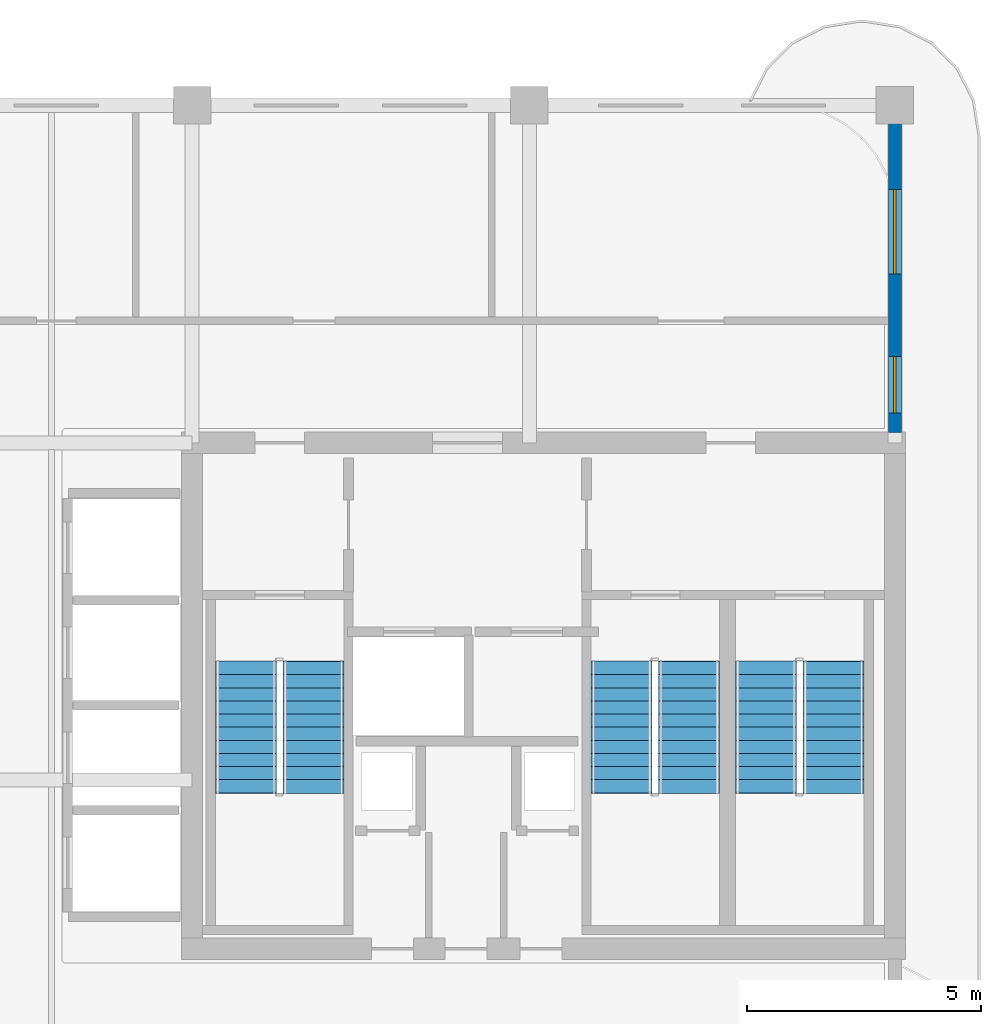
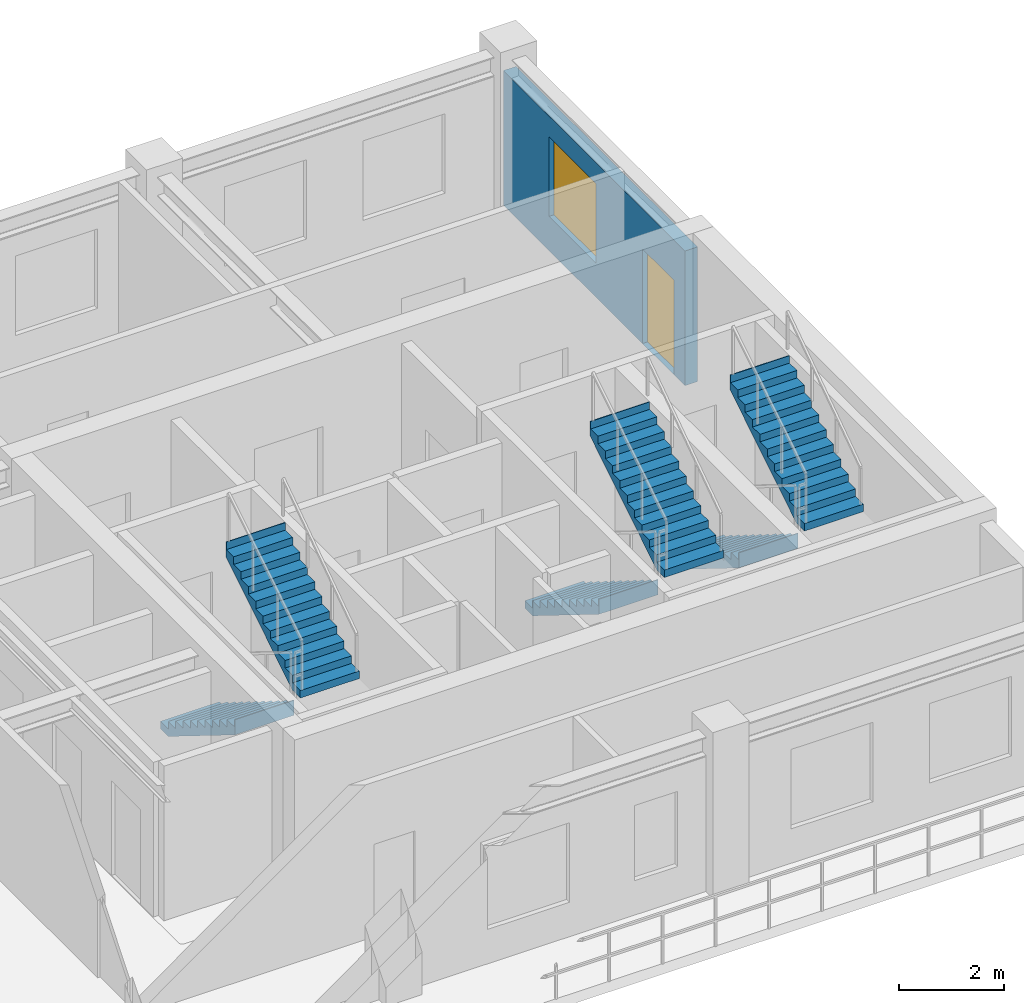
# One storey, part 5 of 7: 6 stair flights, 1 door, 1 wall, 1 window, 2 openings, 3 elements without a shape of their own.
"""IFC4 building model written with IfcOpenShell, lengths in metres."""

from ifc_helpers import new_model, si_unit, derived_unit, direction, frame, frame_2d, origin, place, context, subcontext, project, spatial, polyline, rectangle, outline, extrude, source, transform, mapped, material, layer, layer_set, type_object, type_shapes, element, fill, aggregate, save


model = new_model("IFC4")

# Units and contexts
model_context = context("Model", 3, precision=1e-05, world=origin(), true_north=direction((0.0, 1.0)))
body_context = subcontext(model_context, "Body", "Model", "MODEL_VIEW")
ifc_project = project(units=[si_unit("LENGTHUNIT", "METRE"), si_unit("AREAUNIT", "SQUARE_METRE"), si_unit("VOLUMEUNIT", "CUBIC_METRE"), si_unit("PLANEANGLEUNIT", "RADIAN"), si_unit("MASSUNIT", "GRAM", prefix="KILO"), si_unit("THERMODYNAMICTEMPERATUREUNIT", "KELVIN"), si_unit("POWERUNIT", "WATT"), derived_unit("THERMALTRANSMITTANCEUNIT", [(si_unit("POWERUNIT", "WATT"), 1), (si_unit("AREAUNIT", "SQUARE_METRE"), -1), (si_unit("THERMODYNAMICTEMPERATUREUNIT", "KELVIN"), -1)])], contexts=[model_context])

# Site, building, storey
site_placement = place(None, origin())
site = spatial("IfcSite", under=ifc_project, at=site_placement, CompositionType="ELEMENT")
building_placement = place(site_placement, origin())
building = spatial("IfcBuilding", under=site, at=building_placement, Name="Zahravan Archway Hotel and Residences", CompositionType="ELEMENT")
storey_placement = place(building_placement, frame((0.0, 0.0, 251.949951171875)))
storey = spatial("IfcBuildingStorey", under=building, at=storey_placement, Name="L63", CompositionType="ELEMENT", Elevation=251.949951171875)

# Wall, openings, door, window
ifc_material_1 = material(Name="Honed Red-Ochre Sandstone & Insulated Block", Category="masonry")
ifc_layer_1 = layer(ifc_material_1, 0.280029296875, Name="Honed Red-Ochre Sandstone & Insulated Block", Category="masonry")
ifc_layer_set_1 = layer_set([ifc_layer_1], Name="Honed Red-Ochre Sandstone & Insulated Block")
wall_type = type_object("IfcWallType", Name="EW-LOG-280", PredefinedType="SOLIDWALL", material=ifc_layer_set_1)
wall_placement = place(storey_placement, frame((49.800048828125, 14.6201171875, 0.0), z_axis=(0.0, 0.0, 1.0), x_axis=(0.0, 1.0, 0.0)))
wall = element("IfcWall", 1, at=wall_placement, inside=storey, type_object=wall_type, Name="L63 Exterior Sandstone Wall WA-EN", PredefinedType="SOLIDWALL", context=body_context, shape_type="SweptSolid", body=[
    extrude(rectangle(XDim=6.929931640625, YDim=0.280029296875, at=frame_2d((3.46484375, 0.0))), origin(), (0.0, 0.0, 1.0), 3.135009765625),
])
opening_1_placement = place(wall_placement, frame((0.419921875, 0.0, 0.0)))
opening_1 = element("IfcOpeningElement", 2, at=opening_1_placement, cuts=wall, Name="Opening ED-BL1", PredefinedType="OPENING", context=body_context, shape_type="SweptSolid", body=[
    extrude(rectangle(XDim=1.199951171875, YDim=2.199951171875, at=frame_2d((0.60009765625, 1.10009765625))), frame((0.0, 0.14990234375, 0.0), z_axis=(0.0, -1.0, 0.0), x_axis=(1.0, 0.0, 0.0)), (0.0, 0.0, 1.0), 0.300048828125),
])
opening_2_placement = place(wall_placement, frame((3.384033203125, 0.0, 0.800048828125)))
opening_2 = element("IfcOpeningElement", 3, at=opening_2_placement, cuts=wall, Name="Opening W-02", PredefinedType="OPENING", context=body_context, shape_type="SweptSolid", body=[
    extrude(rectangle(XDim=1.800048828125, YDim=1.85009765625, at=frame_2d((0.89990234375, 0.925048828125))), frame((0.0, 0.14990234375, 0.0), z_axis=(0.0, -1.0, 0.0), x_axis=(1.0, 0.0, 0.0)), (0.0, 0.0, 1.0), 0.300048828125),
])
ifc_material_2 = material(Name="Bronze-Anodized Glazed Aluminium", Category="aluminium")
door_type = type_object("IfcDoorType", Name="ED-BALC-1200", OperationType="SLIDING_TO_LEFT", PredefinedType="DOOR", material=ifc_material_2)
shared_shape_1 = source(origin(), body_context, "Body", "SweptSolid", [
    extrude(rectangle(XDim=1.199951171875, YDim=2.199951171875, at=frame_2d((0.60009765625, 1.10009765625))), frame((0.0, 0.02490234375, 0.0), z_axis=(0.0, -1.0, 0.0), x_axis=(1.0, 0.0, 0.0)), (0.0, 0.0, 1.0), 0.050048828125),
])
type_shapes(door_type, [shared_shape_1])
door_placement = place(opening_1_placement, origin())
door = element("IfcDoor", 4, at=door_placement, inside=storey, type_object=door_type, Name="L63 Outdoor Access Sliding Door (SLB-BAL-L63-EA)", OperationType="SLIDING_TO_LEFT", OverallHeight=2.199951171875, OverallWidth=1.199951171875, PredefinedType="DOOR", context=body_context, shape_type="MappedRepresentation", body=[
    mapped(shared_shape_1, transform((0.0, 0.0, 0.0), scale=1.0)),
])
fill(opening_1, door)
ifc_material_3 = material(Name="Bronze-Anodized Thermal-Break Aluminium & Low-E Glass", Category="aluminium")
window_type = type_object("IfcWindowType", Name="WIN-TWR-1800", PartitioningType="DOUBLE_PANEL_VERTICAL", PredefinedType="WINDOW", material=ifc_material_3)
shared_shape_2 = source(origin(), body_context, "Body", "SweptSolid", [
    extrude(rectangle(XDim=1.800048828125, YDim=1.85009765625, at=frame_2d((0.89990234375, 0.925048828125))), frame((0.0, 0.030029296875, 0.0), z_axis=(0.0, -1.0, 0.0), x_axis=(1.0, 0.0, 0.0)), (0.0, 0.0, 1.0), 0.06005859375),
])
type_shapes(window_type, [shared_shape_2])
window_placement = place(opening_2_placement, origin())
window = element("IfcWindow", 5, at=window_placement, inside=storey, type_object=window_type, Name="L63 Loggia Window 08", OverallHeight=1.85009765625, OverallWidth=1.800048828125, PartitioningType="DOUBLE_PANEL_VERTICAL", PredefinedType="WINDOW", context=body_context, shape_type="MappedRepresentation", body=[
    mapped(shared_shape_2, transform((0.0, 0.0, 0.0), scale=1.0)),
])
fill(opening_2, window)

# Stair, stair flights
ifc_material_4 = material(Name="Concrete C50/60", Category="concrete")
stair_type = type_object("IfcStairType", Name="STR-CORE-1300", PredefinedType="HALF_TURN_STAIR", material=ifc_material_4)
stair_1_placement = place(storey_placement, origin())
stair_1 = element("IfcStair", 6, at=stair_1_placement, inside=storey, type_object=stair_type, Name="L63 Core A Exit Stair 1", PredefinedType="HALF_TURN_STAIR")
ifc_layer_2 = layer(ifc_material_4, 0.199951171875, Name="Concrete C50/60", Category="concrete")
ifc_layer_set_2 = layer_set([ifc_layer_2], Name="Concrete C50/60")
stair_flight_type = type_object("IfcStairFlightType", Name="SFL-CORE-1300", PredefinedType="STRAIGHT", material=ifc_layer_set_2)
shared_shape_3 = source(origin(), body_context, "Body", "SweptSolid", [
    extrude(outline(polyline([(-0.01611328125, 0.0), (-0.01611328125, 0.175048828125), (0.280029296875, 0.175048828125), (0.280029296875, 0.35009765625), (0.56005859375, 0.35009765625), (0.56005859375, 0.52490234375), (0.840087890625, 0.52490234375), (0.840087890625, 0.699951171875), (1.1201171875, 0.699951171875), (1.1201171875, 0.875), (1.39990234375, 0.875), (1.39990234375, 1.050048828125), (1.679931640625, 1.050048828125), (1.679931640625, 1.22509765625), (1.9599609375, 1.22509765625), (1.9599609375, 1.39990234375), (2.239990234375, 1.39990234375), (2.239990234375, 1.574951171875), (2.52001953125, 1.574951171875), (2.52001953125, 1.75), (2.800048828125, 1.75), (2.800048828125, 1.925048828125), (2.816162109375, 1.925048828125), (2.816162109375, 1.5732421875), (0.28271484375, 0.0), (-0.01611328125, 0.0)])), frame((0.0, 0.64990234375, 0.0), z_axis=(0.0, -1.0, 0.0), x_axis=(1.0, 0.0, 0.0)), (0.0, 0.0, 1.0), 1.300048828125),
])
stair_flight_1_placement = place(storey_placement, frame((35.949951171875, 9.72998046875, 0.0), z_axis=(0.0, 0.0, 1.0), x_axis=(0.0, -1.0, 0.0)))
stair_flight_1 = element("IfcStairFlight", 7, at=stair_flight_1_placement, type_object=stair_flight_type, Name="ST-A1 flight 1", NumberOfRisers=11, NumberOfTreads=10, PredefinedType="STRAIGHT", RiserHeight=0.175, TreadLength=0.28, context=body_context, shape_type="MappedRepresentation", body=[
    mapped(shared_shape_3, transform((0.0, 0.0, 0.0), scale=1.0)),
])
stair_flight_2_placement = place(storey_placement, frame((37.389892578125, 6.929931640625, 1.925048828125), z_axis=(0.0, 0.0, 1.0), x_axis=(0.0, 1.0, 0.0)))
stair_flight_2 = element("IfcStairFlight", 8, at=stair_flight_2_placement, type_object=stair_flight_type, Name="ST-A1 flight 2", NumberOfRisers=11, NumberOfTreads=10, PredefinedType="STRAIGHT", RiserHeight=0.175, TreadLength=0.28, context=body_context, shape_type="MappedRepresentation", body=[
    mapped(shared_shape_3, transform((0.0, 0.0, 0.0), scale=1.0)),
])
aggregate(stair_1, [stair_flight_1, stair_flight_2])

stair_2_placement = place(storey_placement, origin())
stair_2 = element("IfcStair", 9, at=stair_2_placement, inside=storey, type_object=stair_type, Name="L63 Core A Exit Stair 2", PredefinedType="HALF_TURN_STAIR")
stair_flight_3_placement = place(storey_placement, frame((43.969970703125, 9.72998046875, 0.0), z_axis=(0.0, 0.0, 1.0), x_axis=(0.0, -1.0, 0.0)))
stair_flight_3 = element("IfcStairFlight", 10, at=stair_flight_3_placement, type_object=stair_flight_type, Name="ST-A2 flight 1", NumberOfRisers=11, NumberOfTreads=10, PredefinedType="STRAIGHT", RiserHeight=0.175, TreadLength=0.28, context=body_context, shape_type="MappedRepresentation", body=[
    mapped(shared_shape_3, transform((0.0, 0.0, 0.0), scale=1.0)),
])
stair_flight_4_placement = place(storey_placement, frame((45.409912109375, 6.929931640625, 1.925048828125), z_axis=(0.0, 0.0, 1.0), x_axis=(0.0, 1.0, 0.0)))
stair_flight_4 = element("IfcStairFlight", 11, at=stair_flight_4_placement, type_object=stair_flight_type, Name="ST-A2 flight 2", NumberOfRisers=11, NumberOfTreads=10, PredefinedType="STRAIGHT", RiserHeight=0.175, TreadLength=0.28, context=body_context, shape_type="MappedRepresentation", body=[
    mapped(shared_shape_3, transform((0.0, 0.0, 0.0), scale=1.0)),
])
aggregate(stair_2, [stair_flight_3, stair_flight_4])

stair_3_placement = place(storey_placement, origin())
stair_3 = element("IfcStair", 12, at=stair_3_placement, inside=storey, type_object=stair_type, Name="L63 Core A Exit Stair 3", PredefinedType="HALF_TURN_STAIR")
stair_flight_5_placement = place(storey_placement, frame((47.050048828125, 9.72998046875, 0.0), z_axis=(0.0, 0.0, 1.0), x_axis=(0.0, -1.0, 0.0)))
stair_flight_5 = element("IfcStairFlight", 13, at=stair_flight_5_placement, type_object=stair_flight_type, Name="ST-A3 flight 1", NumberOfRisers=11, NumberOfTreads=10, PredefinedType="STRAIGHT", RiserHeight=0.175, TreadLength=0.28, context=body_context, shape_type="MappedRepresentation", body=[
    mapped(shared_shape_3, transform((0.0, 0.0, 0.0), scale=1.0)),
])
stair_flight_6_placement = place(storey_placement, frame((48.489990234375, 6.929931640625, 1.925048828125), z_axis=(0.0, 0.0, 1.0), x_axis=(0.0, 1.0, 0.0)))
stair_flight_6 = element("IfcStairFlight", 14, at=stair_flight_6_placement, type_object=stair_flight_type, Name="ST-A3 flight 2", NumberOfRisers=11, NumberOfTreads=10, PredefinedType="STRAIGHT", RiserHeight=0.175, TreadLength=0.28, context=body_context, shape_type="MappedRepresentation", body=[
    mapped(shared_shape_3, transform((0.0, 0.0, 0.0), scale=1.0)),
])
aggregate(stair_3, [stair_flight_5, stair_flight_6])

save(model, "model.ifc")
